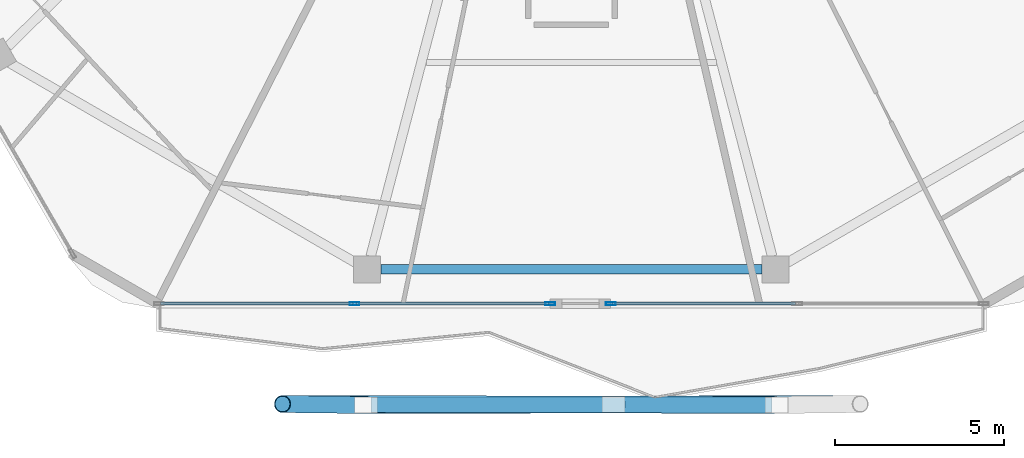
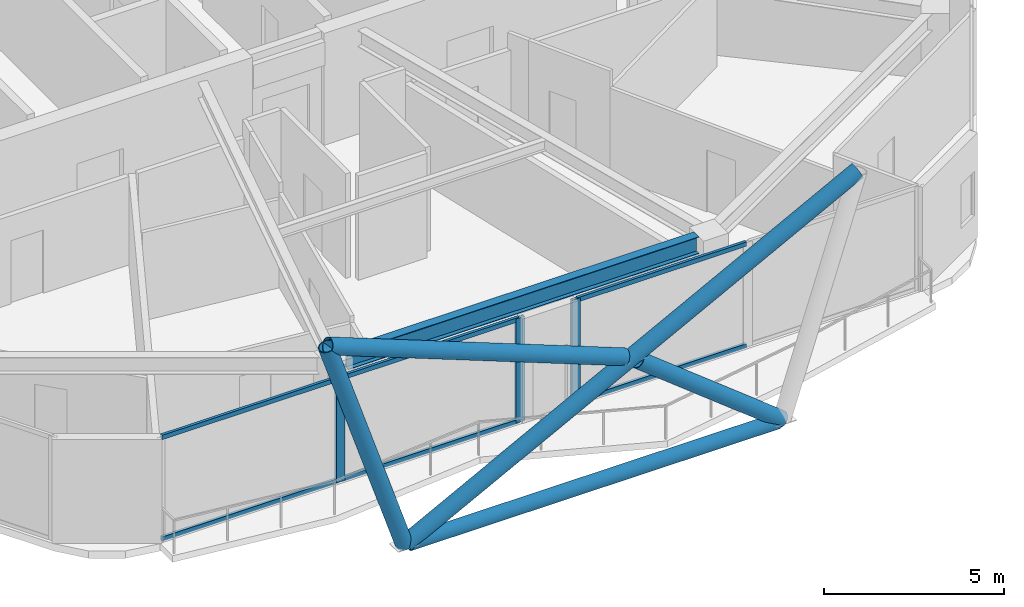
# One storey, part 4 of 23: 14 members, 1 beam, 2 elements without a shape of their own.
"""IFC4 building model written with IfcOpenShell, lengths in metres."""

from ifc_helpers import new_model, si_unit, direction, frame, origin, origin_2d, place, context, subcontext, project, spatial, hollow_rectangle, hollow_circle, i_section, extrude, material, material_profile, profile_set, type_object, element, aggregate, save


model = new_model("IFC4")

# Units and contexts
model_context = context("Model", 3, precision=1e-05, world=origin(), true_north=direction((0.0, 1.0)))
body_context = subcontext(model_context, "Body", "Model", "MODEL_VIEW")
ifc_project = project(units=[si_unit("LENGTHUNIT", "METRE"), si_unit("AREAUNIT", "SQUARE_METRE"), si_unit("VOLUMEUNIT", "CUBIC_METRE"), si_unit("PLANEANGLEUNIT", "RADIAN"), si_unit("MASSUNIT", "GRAM", prefix="KILO")], contexts=[model_context])

# Site, building, storey
site_placement = place(None, origin())
site = spatial("IfcSite", under=ifc_project, at=site_placement, CompositionType="ELEMENT")
building_placement = place(site_placement, origin())
building = spatial("IfcBuilding", under=site, at=building_placement, Name="Zuhravey Tower", CompositionType="ELEMENT")
storey_placement = place(building_placement, frame((0.0, 0.0, 323.39990234375)))
storey = spatial("IfcBuildingStorey", under=building, at=storey_placement, Name="L82", CompositionType="ELEMENT", Elevation=323.39990234375)

# Curtain wall, member
ifc_material_1 = material(Name="Thermally broken anodised aluminium", Category="aluminium")
curtain_wall_type = type_object("IfcCurtainWallType", Name="Zone 3-4 High-Rise Curtain Wall CW4", PredefinedType="NOTDEFINED", material=ifc_material_1)
curtain_wall_1_placement = place(storey_placement, origin())
curtain_wall_1 = element("IfcCurtainWall", 1, at=curtain_wall_1_placement, inside=storey, type_object=curtain_wall_type, Name="L82 CW4 CW-L82-F5-1", PredefinedType="NOTDEFINED")
ifc_material_2 = material(Name="Anodised aluminium", Category="aluminium")
ifc_material_profile_1 = material_profile(ifc_material_2, hollow_rectangle(XDim=0.090087890625, YDim=0.284912109375, WallThickness=0.0048828125, at=origin_2d()), Name="ALU-RHS-90x285x5")
ifc_profile_set_1 = profile_set([ifc_material_profile_1], Name="Anodised aluminium")
member_type_1 = type_object("IfcMemberType", Name="Curtain-Wall Mullion 90x180", PredefinedType="MULLION", material=ifc_profile_set_1)
member_1_placement = place(storey_placement, frame((37.16357421875, 7.92578125, 0.0), z_axis=(0.0, 0.0, 1.0), x_axis=(0.0, -1.0, 0.0)))
member_1 = element("IfcMember", 2, at=member_1_placement, type_object=member_type_1, Name="CW4 mullion 3", PredefinedType="MULLION", context=body_context, shape_type="SweptSolid", body=[
    extrude(hollow_rectangle(XDim=0.090087890625, YDim=0.284912109375, WallThickness=0.0048828125, at=origin_2d()), origin(), (0.0, 0.0, 1.0), 3.550048828125),
])

# Curtain wall, members
curtain_wall_2_placement = place(storey_placement, origin())
curtain_wall_2 = element("IfcCurtainWall", 3, at=curtain_wall_2_placement, inside=storey, type_object=curtain_wall_type, Name="L82 CW4 CW-L82-F5-2", PredefinedType="NOTDEFINED")
member_2_placement = place(storey_placement, frame((35.37353515625, 7.92578125, 0.0), z_axis=(0.0, 0.0, 1.0), x_axis=(0.0, -1.0, 0.0)))
member_2 = element("IfcMember", 4, at=member_2_placement, type_object=member_type_1, Name="CW4 mullion 1", PredefinedType="MULLION", context=body_context, shape_type="SweptSolid", body=[
    extrude(hollow_rectangle(XDim=0.090087890625, YDim=0.284912109375, WallThickness=0.0048828125, at=origin_2d()), origin(), (0.0, 0.0, 1.0), 3.550048828125),
])
member_3_placement = place(storey_placement, frame((29.589599609375, 7.92578125, 0.0), z_axis=(0.0, 0.0, 1.0), x_axis=(0.0, -1.0, 0.0)))
member_3 = element("IfcMember", 5, at=member_3_placement, type_object=member_type_1, Name="CW4 mullion 2", PredefinedType="MULLION", context=body_context, shape_type="SweptSolid", body=[
    extrude(hollow_rectangle(XDim=0.090087890625, YDim=0.284912109375, WallThickness=0.0048828125, at=origin_2d()), origin(), (0.0, 0.0, 1.0), 3.550048828125),
])

# Member
ifc_material_profile_2 = material_profile(ifc_material_2, hollow_rectangle(XDim=0.090087890625, YDim=0.14990234375, WallThickness=0.0048828125, at=origin_2d()), Name="ALU-RHS-90x150x5")
ifc_profile_set_2 = profile_set([ifc_material_profile_2], Name="Anodised aluminium")
member_type_2 = type_object("IfcMemberType", Name="Curtain-Wall Transom 90x150", PredefinedType="USERDEFINED", material=ifc_profile_set_2)
member_4_placement = place(storey_placement, frame((42.634033203125, 7.92578125, 0.045166015625), z_axis=(-1.0, 0.0, 0.0), x_axis=(0.0, -1.0, 0.0)))
member_4 = element("IfcMember", 6, at=member_4_placement, type_object=member_type_2, Name="CW4 transom 2.1", ObjectType="TRANSOM", PredefinedType="USERDEFINED", context=body_context, shape_type="SweptSolid", body=[
    extrude(hollow_rectangle(XDim=0.090087890625, YDim=0.14990234375, WallThickness=0.0048828125, at=origin_2d()), origin(), (0.0, 0.0, 1.0), 5.425537109375),
])

member_5_placement = place(storey_placement, frame((42.634033203125, 7.92578125, 3.505126953125), z_axis=(-1.0, 0.0, 0.0), x_axis=(0.0, -1.0, 0.0)))
member_5 = element("IfcMember", 7, at=member_5_placement, type_object=member_type_2, Name="CW4 transom 2.2", ObjectType="TRANSOM", PredefinedType="USERDEFINED", context=body_context, shape_type="SweptSolid", body=[
    extrude(hollow_rectangle(XDim=0.090087890625, YDim=0.14990234375, WallThickness=0.0048828125, at=origin_2d()), origin(), (0.0, 0.0, 1.0), 5.425537109375),
])

aggregate(curtain_wall_1, [member_1, member_4, member_5])

member_6_placement = place(storey_placement, frame((35.32861328125, 7.92578125, 0.045166015625), z_axis=(-1.0, 0.0, 0.0), x_axis=(0.0, -1.0, 0.0)))
member_6 = element("IfcMember", 8, at=member_6_placement, type_object=member_type_2, Name="CW4 transom 1.1", ObjectType="TRANSOM", PredefinedType="USERDEFINED", context=body_context, shape_type="SweptSolid", body=[
    extrude(hollow_rectangle(XDim=0.090087890625, YDim=0.14990234375, WallThickness=0.0048828125, at=origin_2d()), origin(), (0.0, 0.0, 1.0), 5.69384765625),
])

member_7_placement = place(storey_placement, frame((35.32861328125, 7.92578125, 3.505126953125), z_axis=(-1.0, 0.0, 0.0), x_axis=(0.0, -1.0, 0.0)))
member_7 = element("IfcMember", 9, at=member_7_placement, type_object=member_type_2, Name="CW4 transom 1.2", ObjectType="TRANSOM", PredefinedType="USERDEFINED", context=body_context, shape_type="SweptSolid", body=[
    extrude(hollow_rectangle(XDim=0.090087890625, YDim=0.14990234375, WallThickness=0.0048828125, at=origin_2d()), origin(), (0.0, 0.0, 1.0), 5.69384765625),
])

member_8_placement = place(storey_placement, frame((29.544677734375, 7.92578125, 0.045166015625), z_axis=(-1.0, 0.0, 0.0), x_axis=(0.0, -1.0, 0.0)))
member_8 = element("IfcMember", 10, at=member_8_placement, type_object=member_type_2, Name="CW4 transom 2.1", ObjectType="TRANSOM", PredefinedType="USERDEFINED", context=body_context, shape_type="SweptSolid", body=[
    extrude(hollow_rectangle(XDim=0.090087890625, YDim=0.14990234375, WallThickness=0.0048828125, at=origin_2d()), origin(), (0.0, 0.0, 1.0), 5.694091796875),
])

member_9_placement = place(storey_placement, frame((29.544677734375, 7.92578125, 3.505126953125), z_axis=(-1.0, 0.0, 0.0), x_axis=(0.0, -1.0, 0.0)))
member_9 = element("IfcMember", 11, at=member_9_placement, type_object=member_type_2, Name="CW4 transom 2.2", ObjectType="TRANSOM", PredefinedType="USERDEFINED", context=body_context, shape_type="SweptSolid", body=[
    extrude(hollow_rectangle(XDim=0.090087890625, YDim=0.14990234375, WallThickness=0.0048828125, at=origin_2d()), origin(), (0.0, 0.0, 1.0), 5.694091796875),
])

aggregate(curtain_wall_2, [member_2, member_3, member_6, member_7, member_8, member_9])

# Members
ifc_material_3 = material(Name="Steel SM355", Category="steel")
ifc_material_profile_3 = material_profile(ifc_material_3, hollow_circle(Radius=0.228515625, WallThickness=0.02197265625, at=origin_2d()), Name="CHS-457.2x22")
ifc_profile_set_3 = profile_set([ifc_material_profile_3], Name="Steel SM355")
member_type_3 = type_object("IfcMemberType", Name="Exoskeleton Ring Tie CHS457x22", PredefinedType="CHORD", material=ifc_profile_set_3)
member_10_placement = place(storey_placement, frame((30.072509765625, 4.92578125, -0.4638671875), z_axis=(1.0, 0.0, 0.0), x_axis=(0.0, 1.0, 0.0)))
element("IfcMember", 12, at=member_10_placement, inside=storey, type_object=member_type_3, Name="L82 Exoskeleton Face 5 Tie EXR1", PredefinedType="CHORD", context=body_context, shape_type="SweptSolid", body=[
    extrude(hollow_circle(Radius=0.228515625, WallThickness=0.02197265625, at=origin_2d()), origin(), (0.0, 0.0, 1.0), 11.85498046875),
])
ifc_material_profile_4 = material_profile(ifc_material_3, hollow_circle(Radius=0.25390625, WallThickness=0.02490234375, at=origin_2d()), Name="CHS-508.0x25")
ifc_profile_set_4 = profile_set([ifc_material_profile_4], Name="Steel SM355")
member_type_4 = type_object("IfcMemberType", Name="Exoskeleton Zone 4 Diagrid CHS508x25", PredefinedType="BRACE", material=ifc_profile_set_4)
member_11_placement = place(storey_placement, frame((29.927490234375, 4.926025390625, -0.447998046875), z_axis=(-0.310451636696, 0.003741120079, 0.950581814098), x_axis=(-0.012049698022, -0.999927399753, 0.0)))
element("IfcMember", 13, at=member_11_placement, inside=storey, type_object=member_type_4, Name="L82 Face 5 Diagrid Brace 1", PredefinedType="BRACE", context=body_context, shape_type="SweptSolid", body=[
    extrude(hollow_circle(Radius=0.25390625, WallThickness=0.02490234375, at=origin_2d()), origin(), (0.0, 0.0, 1.0), 7.961669921875),
])
member_12_placement = place(storey_placement, frame((29.96337890625, 4.926025390625, -0.447998046875), z_axis=(0.887232881508, 0.001815569056, 0.461318239049), x_axis=(-0.002046323229, 0.999997906278, 0.0)))
element("IfcMember", 14, at=member_12_placement, inside=storey, type_object=member_type_4, Name="L82 Face 5 Diagrid Brace 2", PredefinedType="BRACE", context=body_context, shape_type="SweptSolid", body=[
    extrude(hollow_circle(Radius=0.25390625, WallThickness=0.02490234375, at=origin_2d()), origin(), (0.0, 0.0, 1.0), 16.405517578125),
])
member_13_placement = place(storey_placement, frame((42.0400390625, 4.926025390625, -0.4423828125), z_axis=(-0.785692961441, 0.002414826547, 0.618611945371), x_axis=(-0.003073484503, -0.999995276835, 0.0)))
element("IfcMember", 15, at=member_13_placement, inside=storey, type_object=member_type_4, Name="L82 Face 5 Split Diagrid Brace 3A", PredefinedType="BRACE", context=body_context, shape_type="SweptSolid", body=[
    extrude(hollow_circle(Radius=0.25390625, WallThickness=0.02490234375, at=origin_2d()), origin(), (0.0, 0.0, 1.0), 5.86376953125),
])
member_14_placement = place(storey_placement, frame((37.013671875, 4.941162109375, 3.42431640625), z_axis=(-0.932241037755, 0.001432820899, 0.36183503776), x_axis=(-0.001536962168, -0.999998818873, 0.0)))
element("IfcMember", 16, at=member_14_placement, inside=storey, type_object=member_type_4, Name="L82 Face 5 Split Diagrid Brace 3B", PredefinedType="BRACE", context=body_context, shape_type="SweptSolid", body=[
    extrude(hollow_circle(Radius=0.25390625, WallThickness=0.02490234375, at=origin_2d()), origin(), (0.0, 0.0, 1.0), 10.223388671875),
])

# Beam
ifc_material_profile_5 = material_profile(ifc_material_3, i_section(OverallWidth=0.280029296875, OverallDepth=0.580078125, WebThickness=0.011962890625, FlangeThickness=0.01904296875, at=origin_2d()), Name="H-580x280x12x19")
ifc_profile_set_5 = profile_set([ifc_material_profile_5], Name="Steel SM355")
beam_type = type_object("IfcBeamType", Name="Perimeter Ring Beam H580x280", PredefinedType="BEAM", material=ifc_profile_set_5)
beam_placement = place(storey_placement, frame((30.3642578125, 8.935791015625, 3.260009765625), z_axis=(1.0, 0.0, 0.0), x_axis=(0.0, 1.0, 0.0)))
element("IfcBeam", 17, at=beam_placement, inside=storey, type_object=beam_type, Name="L82 PB4 BM-L82-PB-09", PredefinedType="BEAM", context=body_context, shape_type="SweptSolid", body=[
    extrude(i_section(OverallWidth=0.280029296875, OverallDepth=0.580078125, WebThickness=0.011962890625, FlangeThickness=0.01904296875, at=origin_2d()), origin(), (0.0, 0.0, 1.0), 11.271484375),
])

save(model, "model.ifc")
